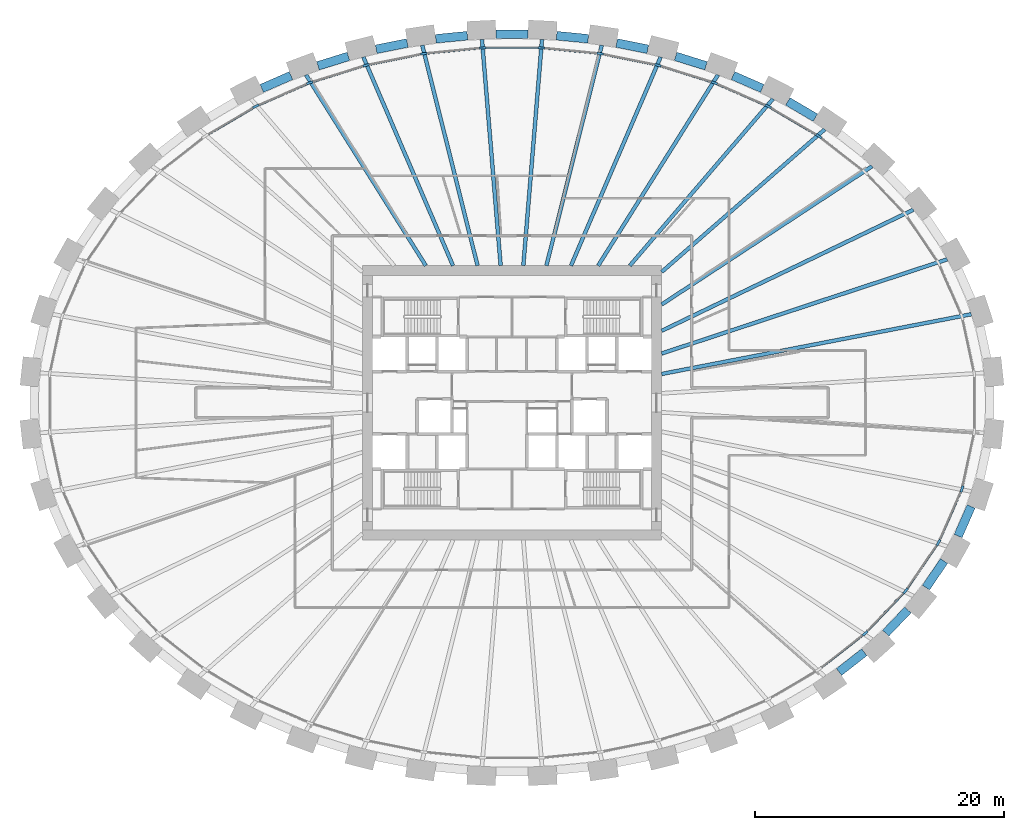
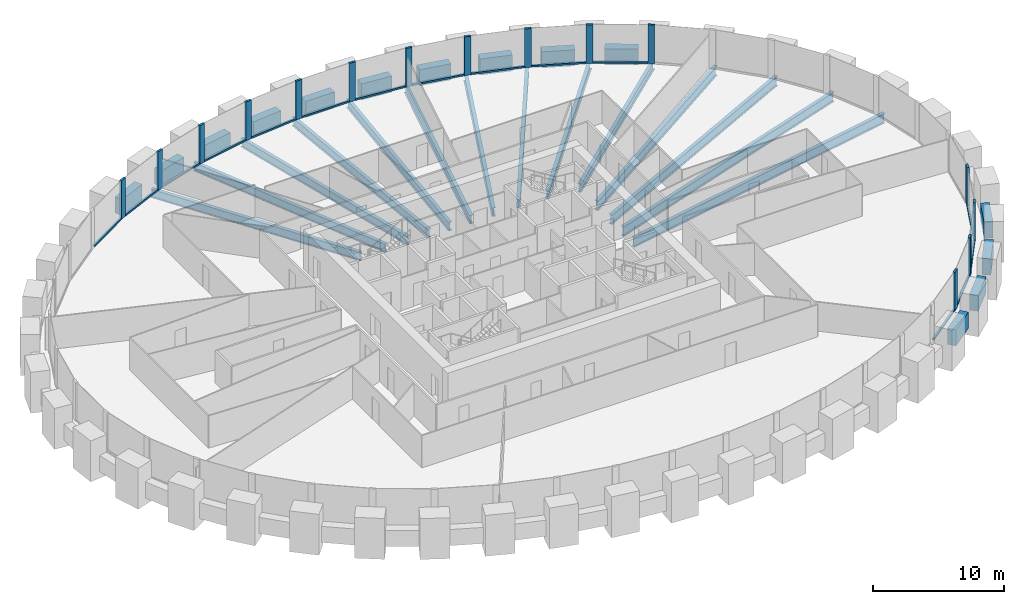
# One storey, part 3 of 11: 30 members, 28 beams, 1 element without a shape of its own.
"""IFC4 building model written with IfcOpenShell, lengths in metres."""

from ifc_helpers import new_model, si_unit, direction, frame, origin, origin_2d, place, context, subcontext, project, spatial, rectangle, i_section, extrude, source, transform, mapped, material, material_profile, profile_set, type_object, element, aggregate, save


model = new_model("IFC4")

# Units and contexts
model_context = context("Model", 3, precision=1e-05, world=origin(), true_north=direction((0.0, 1.0)))
body_context = subcontext(model_context, "Body", "Model", "MODEL_VIEW")
ifc_project = project(units=[si_unit("LENGTHUNIT", "METRE"), si_unit("AREAUNIT", "SQUARE_METRE"), si_unit("VOLUMEUNIT", "CUBIC_METRE"), si_unit("PLANEANGLEUNIT", "RADIAN"), si_unit("MASSUNIT", "GRAM", prefix="KILO")], contexts=[model_context])

# Site, building, storey
site_placement = place(None, origin())
site = spatial("IfcSite", under=ifc_project, at=site_placement, CompositionType="ELEMENT")
building_placement = place(site_placement, origin())
building = spatial("IfcBuilding", under=site, at=building_placement, Name="Embergate Tower", CompositionType="ELEMENT")
storey_placement = place(building_placement, frame((0.0, 0.0, 143.699951171875)))
storey = spatial("IfcBuildingStorey", under=building, at=storey_placement, Name="L31", CompositionType="ELEMENT", Elevation=143.699951171875)

# Beams
ifc_material_1 = material(Name="Concrete C70", Category="concrete")
ifc_material_profile_1 = material_profile(ifc_material_1, rectangle(XDim=0.699951171875, YDim=1.5, at=origin_2d()), Name="RC 700x1500")
ifc_profile_set_1 = profile_set([ifc_material_profile_1], Name="Concrete C70")
beam_type_1 = type_object("IfcBeamType", Name="Spandrel beam RC 700x1500 C70", PredefinedType="BEAM", material=ifc_profile_set_1)
shared_shape_1 = source(origin(), body_context, "Body", "SweptSolid", [
    extrude(rectangle(XDim=0.699951171875, YDim=1.5, at=origin_2d()), origin(), (0.0, 0.0, 1.0), 2.5888671875),
])
beam_1_placement = place(storey_placement, frame((35.76806640625, -10.678955078125, 0.0), z_axis=(0.401723931702, 0.915760821775, 0.0), x_axis=(-0.915760821775, 0.401723931702, 0.0)))
element("IfcBeam", 1, at=beam_1_placement, inside=storey, type_object=beam_type_1, Name="SPN-L31-41", PredefinedType="BEAM", context=body_context, shape_type="MappedRepresentation", body=[
    mapped(shared_shape_1, transform((0.0, 0.0, 0.0))),
])
shared_shape_2 = source(origin(), body_context, "Body", "SweptSolid", [
    extrude(rectangle(XDim=0.699951171875, YDim=1.5, at=origin_2d()), origin(), (0.0, 0.0, 1.0), 2.5791015625),
])
beam_2_placement = place(storey_placement, frame((33.18701171875, -14.81396484375, 0.0), z_axis=(0.562170202136, 0.82702156189, 0.0), x_axis=(-0.82702156189, 0.562170202136, 0.0)))
element("IfcBeam", 2, at=beam_2_placement, inside=storey, type_object=beam_type_1, Name="SPN-L31-40", PredefinedType="BEAM", context=body_context, shape_type="MappedRepresentation", body=[
    mapped(shared_shape_2, transform((0.0, 0.0, 0.0))),
])
shared_shape_3 = source(origin(), body_context, "Body", "SweptSolid", [
    extrude(rectangle(XDim=0.699951171875, YDim=1.5, at=origin_2d()), origin(), (0.0, 0.0, 1.0), 2.574462890625),
])
beam_3_placement = place(storey_placement, frame((29.964111328125, -18.466064453125, 0.0), z_axis=(0.690171205001, 0.72364612055, 0.0), x_axis=(-0.72364612055, 0.690171205001, 0.0)))
element("IfcBeam", 3, at=beam_3_placement, inside=storey, type_object=beam_type_1, Name="SPN-L31-39", PredefinedType="BEAM", context=body_context, shape_type="MappedRepresentation", body=[
    mapped(shared_shape_3, transform((0.0, 0.0, 0.0))),
])
shared_shape_4 = source(origin(), body_context, "Body", "SweptSolid", [
    extrude(rectangle(XDim=0.699951171875, YDim=1.5, at=origin_2d()), origin(), (0.0, 0.0, 1.0), 2.56689453125),
])
beam_4_placement = place(storey_placement, frame((26.222900390625, -21.574951171875, 0.0), z_axis=(0.788172869351, 0.615453920305, 0.0), x_axis=(-0.615453920305, 0.788172869351, 0.0)))
element("IfcBeam", 4, at=beam_4_placement, inside=storey, type_object=beam_type_1, Name="SPN-L31-38", PredefinedType="BEAM", context=body_context, shape_type="MappedRepresentation", body=[
    mapped(shared_shape_4, transform((0.0, 0.0, 0.0))),
])
shared_shape_5 = source(origin(), body_context, "Body", "SweptSolid", [
    extrude(rectangle(XDim=0.699951171875, YDim=1.5, at=origin_2d()), origin(), (0.0, 0.0, 1.0), 2.561279296875),
])
beam_5_placement = place(storey_placement, frame((24.321044921875, 22.867919921875, 0.0), z_axis=(-0.862059156479, 0.506807666409, 0.0), x_axis=(-0.506807666409, -0.862059156479, 0.0)))
element("IfcBeam", 5, at=beam_5_placement, inside=storey, type_object=beam_type_1, Name="SPN-L31-05", PredefinedType="BEAM", context=body_context, shape_type="MappedRepresentation", body=[
    mapped(shared_shape_5, transform((0.0, 0.0, 0.0))),
])
shared_shape_6 = source(origin(), body_context, "Body", "SweptSolid", [
    extrude(rectangle(XDim=0.699951171875, YDim=1.5, at=origin_2d()), origin(), (0.0, 0.0, 1.0), 2.558837890625),
])
for number, where, z_axis, x_axis, name in (
    (6, (20.06396484375, 25.2119140625, 0.0), (-0.916408972809, 0.40024316928, 0.0), (-0.40024316928, -0.916408972809, 0.0), "SPN-L31-06"),
    (7, (-17.718994140625, 26.236083984375, 0.0), (-0.916408972809, -0.40024316928, 0.0), (0.40024316928, -0.916408972809, 0.0), "SPN-L31-14"),
):
    element("IfcBeam", number, at=place(storey_placement, frame(where, z_axis=z_axis, x_axis=x_axis)), inside=storey, type_object=beam_type_1, Name=name, PredefinedType="BEAM", context=body_context, shape_type="MappedRepresentation", body=[
        mapped(shared_shape_6, transform((0.0, 0.0, 0.0))),
    ])
shared_shape_7 = source(origin(), body_context, "Body", "SweptSolid", [
    extrude(rectangle(XDim=0.699951171875, YDim=1.5, at=origin_2d()), origin(), (0.0, 0.0, 1.0), 2.5537109375),
])
for number, where, z_axis, x_axis, name in (
    (8, (15.556884765625, 27.02099609375, 0.0), (-0.954687282826, 0.297610806273, 0.0), (-0.297610806273, -0.954687282826, 0.0), "SPN-L31-07"),
    (9, (-13.118896484375, 27.781005859375, 0.0), (-0.954687282826, -0.297610806273, 0.0), (0.297610806273, -0.954687282826, 0.0), "SPN-L31-13"),
):
    element("IfcBeam", number, at=place(storey_placement, frame(where, z_axis=z_axis, x_axis=x_axis)), inside=storey, type_object=beam_type_1, Name=name, PredefinedType="BEAM", context=body_context, shape_type="MappedRepresentation", body=[
        mapped(shared_shape_7, transform((0.0, 0.0, 0.0))),
    ])
shared_shape_8 = source(origin(), body_context, "Body", "SweptSolid", [
    extrude(rectangle(XDim=0.699951171875, YDim=1.5, at=origin_2d()), origin(), (0.0, 0.0, 1.0), 2.552734375),
])
for number, where, z_axis, x_axis, name in (
    (10, (10.889892578125, 28.35009765625, 0.0), (-0.980477546037, 0.196631080243, 0.0), (-0.196631080243, -0.980477546037, 0.0), "SPN-L31-08"),
    (11, (-8.386962890625, 28.85205078125, 0.0), (-0.980477546037, -0.196631080243, 0.0), (0.196631080243, -0.980477546037, 0.0), "SPN-L31-12"),
):
    element("IfcBeam", number, at=place(storey_placement, frame(where, z_axis=z_axis, x_axis=x_axis)), inside=storey, type_object=beam_type_1, Name=name, PredefinedType="BEAM", context=body_context, shape_type="MappedRepresentation", body=[
        mapped(shared_shape_8, transform((0.0, 0.0, 0.0))),
    ])
shared_shape_9 = source(origin(), body_context, "Body", "SweptSolid", [
    extrude(rectangle(XDim=0.699951171875, YDim=1.5, at=origin_2d()), origin(), (0.0, 0.0, 1.0), 2.55126953125),
])
for number, where, z_axis, x_axis, name in (
    (12, (6.112060546875, 29.19091796875, 0.0), (-0.995224880302, 0.09760859403, 0.0), (-0.09760859403, -0.995224880302, 0.0), "SPN-L31-09"),
    (13, (-3.572998046875, 29.43994140625, 0.0), (-0.995224880302, -0.09760859403, 0.0), (0.09760859403, -0.995224880302, 0.0), "SPN-L31-11"),
):
    element("IfcBeam", number, at=place(storey_placement, frame(where, z_axis=z_axis, x_axis=x_axis)), inside=storey, type_object=beam_type_1, Name=name, PredefinedType="BEAM", context=body_context, shape_type="MappedRepresentation", body=[
        mapped(shared_shape_9, transform((0.0, 0.0, 0.0))),
    ])
shared_shape_10 = source(origin(), body_context, "Body", "SweptSolid", [
    extrude(rectangle(XDim=0.699951171875, YDim=1.5, at=origin_2d()), origin(), (0.0, 0.0, 1.0), 2.5517578125),
])
beam_6_placement = place(storey_placement, frame((1.27587890625, 29.552978515625, 0.0), z_axis=(-1.0, 0.0, 0.0), x_axis=(0.0, -1.0, 0.0)))
element("IfcBeam", 14, at=beam_6_placement, inside=storey, type_object=beam_type_1, Name="SPN-L31-10", PredefinedType="BEAM", context=body_context, shape_type="MappedRepresentation", body=[
    mapped(shared_shape_10, transform((0.0, 0.0, 0.0))),
])
ifc_material_2 = material(Name="Steel Q355B", Category="steel")
ifc_material_profile_2 = material_profile(ifc_material_2, i_section(OverallWidth=0.300048828125, OverallDepth=0.89990234375, WebThickness=0.01611328125, FlangeThickness=0.028076171875, FilletRadius=0.028076171875, at=origin_2d()), Name="HN 900x300x16x28")
ifc_profile_set_2 = profile_set([ifc_material_profile_2], Name="Steel Q355 grade B")
beam_type_2 = type_object("IfcBeamType", Name="Radial girder HN 900x300x16x28", PredefinedType="BEAM", material=ifc_profile_set_2)
shared_shape_11 = source(origin(), body_context, "Body", "SweptSolid", [
    extrude(i_section(OverallWidth=0.300048828125, OverallDepth=0.89990234375, WebThickness=0.01611328125, FlangeThickness=0.028076171875, FilletRadius=0.028076171875, at=origin_2d()), origin(), (0.0, 0.0, 1.0), 25.28076171875),
])
beam_7_placement = place(storey_placement, frame((36.822998046875, 7.10400390625, -0.64990234375), z_axis=(-0.981893236668, -0.189435138731, 0.0), x_axis=(0.189435138731, -0.981893236668, 0.0)))
element("IfcBeam", 15, at=beam_7_placement, inside=storey, type_object=beam_type_2, Name="GIR-L31-01", PredefinedType="BEAM", context=body_context, shape_type="MappedRepresentation", body=[
    mapped(shared_shape_11, transform((0.0, 0.0, 0.0))),
])
shared_shape_12 = source(origin(), body_context, "Body", "SweptSolid", [
    extrude(i_section(OverallWidth=0.300048828125, OverallDepth=0.89990234375, WebThickness=0.01611328125, FlangeThickness=0.028076171875, FilletRadius=0.028076171875, at=origin_2d()), origin(), (0.0, 0.0, 1.0), 24.10498046875),
])
beam_8_placement = place(storey_placement, frame((34.89208984375, 11.507080078125, -0.64990234375), z_axis=(-0.949682225523, -0.313215054756, 0.0), x_axis=(0.313215054756, -0.949682225523, 0.0)))
element("IfcBeam", 16, at=beam_8_placement, inside=storey, type_object=beam_type_2, Name="GIR-L31-02", PredefinedType="BEAM", context=body_context, shape_type="MappedRepresentation", body=[
    mapped(shared_shape_12, transform((0.0, 0.0, 0.0))),
])
shared_shape_13 = source(origin(), body_context, "Body", "SweptSolid", [
    extrude(i_section(OverallWidth=0.300048828125, OverallDepth=0.89990234375, WebThickness=0.01611328125, FlangeThickness=0.028076171875, FilletRadius=0.028076171875, at=origin_2d()), origin(), (0.0, 0.0, 1.0), 22.4013671875),
])
beam_9_placement = place(storey_placement, frame((32.18701171875, 15.48388671875, -0.64990234375), z_axis=(-0.901154023355, -0.433499049815, 0.0), x_axis=(0.433499049815, -0.901154023355, 0.0)))
element("IfcBeam", 17, at=beam_9_placement, inside=storey, type_object=beam_type_2, Name="GIR-L31-03", PredefinedType="BEAM", context=body_context, shape_type="MappedRepresentation", body=[
    mapped(shared_shape_13, transform((0.0, 0.0, 0.0))),
])
shared_shape_14 = source(origin(), body_context, "Body", "SweptSolid", [
    extrude(i_section(OverallWidth=0.300048828125, OverallDepth=0.89990234375, WebThickness=0.01611328125, FlangeThickness=0.028076171875, FilletRadius=0.028076171875, at=origin_2d()), origin(), (0.0, 0.0, 1.0), 20.180908203125),
])
beam_10_placement = place(storey_placement, frame((28.865966796875, 18.966064453125, -0.64990234375), z_axis=(-0.835735460255, -0.549132261365, 0.0), x_axis=(0.549132261365, -0.835735460255, 0.0)))
element("IfcBeam", 18, at=beam_10_placement, inside=storey, type_object=beam_type_2, Name="GIR-L31-04", PredefinedType="BEAM", context=body_context, shape_type="MappedRepresentation", body=[
    mapped(shared_shape_14, transform((0.0, 0.0, 0.0))),
])
ifc_material_profile_3 = material_profile(ifc_material_2, i_section(OverallWidth=0.300048828125, OverallDepth=0.800048828125, WebThickness=0.013916015625, FlangeThickness=0.02587890625, FilletRadius=0.028076171875, at=origin_2d()), Name="HN 800x300x14x26")
ifc_profile_set_3 = profile_set([ifc_material_profile_3], Name="Steel Q355 grade B")
beam_type_3 = type_object("IfcBeamType", Name="Radial girder HN 800x300x14x26", PredefinedType="BEAM", material=ifc_profile_set_3)
shared_shape_15 = source(origin(), body_context, "Body", "SweptSolid", [
    extrude(i_section(OverallWidth=0.300048828125, OverallDepth=0.800048828125, WebThickness=0.013916015625, FlangeThickness=0.02587890625, FilletRadius=0.028076171875, at=origin_2d()), origin(), (0.0, 0.0, 1.0), 17.3671875),
])
beam_11_placement = place(storey_placement, frame((25.072998046875, 21.927001953125, -0.599853515625), z_axis=(-0.752741256854, -0.658316489411, 0.0), x_axis=(0.658316489411, -0.752741256854, 0.0)))
element("IfcBeam", 19, at=beam_11_placement, inside=storey, type_object=beam_type_3, Name="GIR-L31-05", PredefinedType="BEAM", context=body_context, shape_type="MappedRepresentation", body=[
    mapped(shared_shape_15, transform((0.0, 0.0, 0.0))),
])
shared_shape_16 = source(origin(), body_context, "Body", "SweptSolid", [
    extrude(i_section(OverallWidth=0.300048828125, OverallDepth=0.800048828125, WebThickness=0.013916015625, FlangeThickness=0.02587890625, FilletRadius=0.028076171875, at=origin_2d()), origin(), (0.0, 0.0, 1.0), 17.617919921875),
])
beam_12_placement = place(storey_placement, frame((20.924072265625, 24.365966796875, -0.599853515625), z_axis=(-0.651494074711, -0.75865372247, 0.0), x_axis=(0.75865372247, -0.651494074711, 0.0)))
element("IfcBeam", 20, at=beam_12_placement, inside=storey, type_object=beam_type_3, Name="GIR-L31-06", PredefinedType="BEAM", context=body_context, shape_type="MappedRepresentation", body=[
    mapped(shared_shape_16, transform((0.0, 0.0, 0.0))),
])
shared_shape_17 = source(origin(), body_context, "Body", "SweptSolid", [
    extrude(i_section(OverallWidth=0.300048828125, OverallDepth=0.800048828125, WebThickness=0.013916015625, FlangeThickness=0.02587890625, FilletRadius=0.028076171875, at=origin_2d()), origin(), (0.0, 0.0, 1.0), 18.060546875),
])
for number, where, z_axis, x_axis, name in (
    (21, (16.513916015625, 26.2939453125, -0.599853515625), (-0.531878610528, -0.846820608903, 0.0), (0.846820608903, -0.531878610528, 0.0), "GIR-L31-07"),
    (22, (-16.513916015625, 26.2939453125, -0.599853515625), (0.531878610528, -0.846820608903, 0.0), (0.846820608903, 0.531878610528, 0.0), "GIR-L31-14"),
):
    element("IfcBeam", number, at=place(storey_placement, frame(where, z_axis=z_axis, x_axis=x_axis)), inside=storey, type_object=beam_type_3, Name=name, PredefinedType="BEAM", context=body_context, shape_type="MappedRepresentation", body=[
        mapped(shared_shape_17, transform((0.0, 0.0, 0.0))),
    ])
shared_shape_18 = source(origin(), body_context, "Body", "SweptSolid", [
    extrude(i_section(OverallWidth=0.300048828125, OverallDepth=0.800048828125, WebThickness=0.013916015625, FlangeThickness=0.02587890625, FilletRadius=0.028076171875, at=origin_2d()), origin(), (0.0, 0.0, 1.0), 18.2060546875),
])
for number, where, z_axis, x_axis, name in (
    (23, (11.91796875, 27.72607421875, -0.599853515625), (-0.394922496681, -0.918714439647, 0.0), (0.918714439647, -0.394922496681, 0.0), "GIR-L31-08"),
    (24, (-11.91796875, 27.72607421875, -0.599853515625), (0.394922496681, -0.918714439647, 0.0), (0.918714439647, 0.394922496681, 0.0), "GIR-L31-13"),
):
    element("IfcBeam", number, at=place(storey_placement, frame(where, z_axis=z_axis, x_axis=x_axis)), inside=storey, type_object=beam_type_3, Name=name, PredefinedType="BEAM", context=body_context, shape_type="MappedRepresentation", body=[
        mapped(shared_shape_18, transform((0.0, 0.0, 0.0))),
    ])
shared_shape_19 = source(origin(), body_context, "Body", "SweptSolid", [
    extrude(i_section(OverallWidth=0.300048828125, OverallDepth=0.800048828125, WebThickness=0.013916015625, FlangeThickness=0.02587890625, FilletRadius=0.028076171875, at=origin_2d()), origin(), (0.0, 0.0, 1.0), 18.220703125),
])
for number, where, z_axis, x_axis, name in (
    (25, (7.197998046875, 28.672119140625, -0.599853515625), (-0.243516003071, -0.969896879183, 0.0), (0.969896879183, -0.243516003071, 0.0), "GIR-L31-09"),
    (26, (-7.197998046875, 28.672119140625, -0.599853515625), (0.243516003071, -0.969896879183, 0.0), (0.969896879183, 0.243516003071, 0.0), "GIR-L31-12"),
):
    element("IfcBeam", number, at=place(storey_placement, frame(where, z_axis=z_axis, x_axis=x_axis)), inside=storey, type_object=beam_type_3, Name=name, PredefinedType="BEAM", context=body_context, shape_type="MappedRepresentation", body=[
        mapped(shared_shape_19, transform((0.0, 0.0, 0.0))),
    ])
shared_shape_20 = source(origin(), body_context, "Body", "SweptSolid", [
    extrude(i_section(OverallWidth=0.300048828125, OverallDepth=0.800048828125, WebThickness=0.013916015625, FlangeThickness=0.02587890625, FilletRadius=0.028076171875, at=origin_2d()), origin(), (0.0, 0.0, 1.0), 18.204833984375),
])
for number, where, z_axis, x_axis, name in (
    (27, (2.406982421875, 29.14306640625, -0.599853515625), (-0.082288533097, -0.996608547686, 0.0), (0.996608547686, -0.082288533097, 0.0), "GIR-L31-10"),
    (28, (-2.406982421875, 29.14306640625, -0.599853515625), (0.082288533097, -0.996608547686, 0.0), (0.996608547686, 0.082288533097, 0.0), "GIR-L31-11"),
):
    element("IfcBeam", number, at=place(storey_placement, frame(where, z_axis=z_axis, x_axis=x_axis)), inside=storey, type_object=beam_type_3, Name=name, PredefinedType="BEAM", context=body_context, shape_type="MappedRepresentation", body=[
        mapped(shared_shape_20, transform((0.0, 0.0, 0.0))),
    ])

# Curtain wall, members
ifc_material_3 = material(Name="Aluminium and glass", Category="aluminium")
curtain_wall_type = type_object("IfcCurtainWallType", Name="Recessed office glazing", PredefinedType="NOTDEFINED", material=ifc_material_3)
curtain_wall_placement = place(storey_placement, origin())
curtain_wall = element("IfcCurtainWall", 29, at=curtain_wall_placement, inside=storey, type_object=curtain_wall_type, Name="Recessed office glazing ring", ObjectType="RECESSED OFFICE GLAZING", PredefinedType="USERDEFINED")
ifc_material_4 = material(Name="Aluminium, thermally broken", Category="aluminium")
ifc_material_profile_4 = material_profile(ifc_material_4, rectangle(XDim=0.179931640625, YDim=0.52001953125, at=origin_2d()), Name="AL 520x180")
ifc_profile_set_4 = profile_set([ifc_material_profile_4], Name="Aluminium, thermally broken")
member_type_1 = type_object("IfcMemberType", Name="Office mullion", PredefinedType="MULLION", material=ifc_profile_set_4)
shared_shape_21 = source(origin(), body_context, "Body", "SweptSolid", [
    extrude(rectangle(XDim=0.179931640625, YDim=0.52001953125, at=origin_2d()), origin(), (0.0, 0.0, 1.0), 3.60009765625),
])
member_1_placement = place(storey_placement, frame((24.6015625, 21.382080078125, 0.0), z_axis=(0.0, 0.0, 1.0), x_axis=(-0.562208958301, -0.826995215951, 0.0)))
member_1 = element("IfcMember", 30, at=member_1_placement, type_object=member_type_1, Name="CW mullion 6", PredefinedType="MULLION", context=body_context, shape_type="MappedRepresentation", body=[
    mapped(shared_shape_21, transform((0.0, 0.0, 0.0))),
])
member_2_placement = place(storey_placement, frame((20.536376953125, 23.772216796875, 0.0), z_axis=(0.0, 0.0, 1.0), x_axis=(-0.454503607328, -0.89074489666, 0.0)))
member_2 = element("IfcMember", 31, at=member_2_placement, type_object=member_type_1, Name="CW mullion 7", PredefinedType="MULLION", context=body_context, shape_type="MappedRepresentation", body=[
    mapped(shared_shape_21, transform((0.0, 0.0, 0.0))),
])
member_3_placement = place(storey_placement, frame((16.21142578125, 25.6630859375, 0.0), z_axis=(0.0, 0.0, 1.0), x_axis=(-0.349496141799, -0.936937803094, 0.0)))
member_3 = element("IfcMember", 32, at=member_3_placement, type_object=member_type_1, Name="CW mullion 8", PredefinedType="MULLION", context=body_context, shape_type="MappedRepresentation", body=[
    mapped(shared_shape_21, transform((0.0, 0.0, 0.0))),
])
member_4_placement = place(storey_placement, frame((11.70166015625, 27.067626953125, 0.0), z_axis=(0.0, 0.0, 1.0), x_axis=(-0.24730680803, -0.968937223303, 0.0)))
member_4 = element("IfcMember", 33, at=member_4_placement, type_object=member_type_1, Name="CW mullion 9", PredefinedType="MULLION", context=body_context, shape_type="MappedRepresentation", body=[
    mapped(shared_shape_21, transform((0.0, 0.0, 0.0))),
])
member_5_placement = place(storey_placement, frame((7.068115234375, 27.996826171875, 0.0), z_axis=(0.0, 0.0, 1.0), x_axis=(-0.147408930294, -0.989075632735, 0.0)))
member_5 = element("IfcMember", 34, at=member_5_placement, type_object=member_type_1, Name="CW mullion 10", PredefinedType="MULLION", context=body_context, shape_type="MappedRepresentation", body=[
    mapped(shared_shape_21, transform((0.0, 0.0, 0.0))),
])
member_6_placement = place(storey_placement, frame((2.36376953125, 28.459228515625, 0.0), z_axis=(0.0, 0.0, 1.0), x_axis=(-0.048970053385, -0.998800247232, 0.0)))
member_6 = element("IfcMember", 35, at=member_6_placement, type_object=member_type_1, Name="CW mullion 11", PredefinedType="MULLION", context=body_context, shape_type="MappedRepresentation", body=[
    mapped(shared_shape_21, transform((0.0, 0.0, 0.0))),
])
member_7_placement = place(storey_placement, frame((-2.36376953125, 28.459228515625, 0.0), z_axis=(0.0, 0.0, 1.0), x_axis=(0.048970053385, -0.998800247232, 0.0)))
member_7 = element("IfcMember", 36, at=member_7_placement, type_object=member_type_1, Name="CW mullion 12", PredefinedType="MULLION", context=body_context, shape_type="MappedRepresentation", body=[
    mapped(shared_shape_21, transform((0.0, 0.0, 0.0))),
])
member_8_placement = place(storey_placement, frame((-7.068115234375, 27.996826171875, 0.0), z_axis=(0.0, 0.0, 1.0), x_axis=(0.147408930294, -0.989075632735, 0.0)))
member_8 = element("IfcMember", 37, at=member_8_placement, type_object=member_type_1, Name="CW mullion 13", PredefinedType="MULLION", context=body_context, shape_type="MappedRepresentation", body=[
    mapped(shared_shape_21, transform((0.0, 0.0, 0.0))),
])
member_9_placement = place(storey_placement, frame((-11.70166015625, 27.067626953125, 0.0), z_axis=(0.0, 0.0, 1.0), x_axis=(0.24730680803, -0.968937223303, 0.0)))
member_9 = element("IfcMember", 38, at=member_9_placement, type_object=member_type_1, Name="CW mullion 14", PredefinedType="MULLION", context=body_context, shape_type="MappedRepresentation", body=[
    mapped(shared_shape_21, transform((0.0, 0.0, 0.0))),
])
member_10_placement = place(storey_placement, frame((-16.21142578125, 25.6630859375, 0.0), z_axis=(0.0, 0.0, 1.0), x_axis=(0.349496141799, -0.936937803094, 0.0)))
member_10 = element("IfcMember", 39, at=member_10_placement, type_object=member_type_1, Name="CW mullion 15", PredefinedType="MULLION", context=body_context, shape_type="MappedRepresentation", body=[
    mapped(shared_shape_21, transform((0.0, 0.0, 0.0))),
])
member_11_placement = place(storey_placement, frame((-20.536376953125, 23.772216796875, 0.0), z_axis=(0.0, 0.0, 1.0), x_axis=(0.454503607328, -0.89074489666, 0.0)))
member_11 = element("IfcMember", 40, at=member_11_placement, type_object=member_type_1, Name="CW mullion 16", PredefinedType="MULLION", context=body_context, shape_type="MappedRepresentation", body=[
    mapped(shared_shape_21, transform((0.0, 0.0, 0.0))),
])
member_12_placement = place(storey_placement, frame((28.314453125, -18.484375, 0.0), z_axis=(0.0, 0.0, 1.0), x_axis=(-0.671220065284, 0.741258135847, 0.0)))
member_12 = element("IfcMember", 41, at=member_12_placement, type_object=member_type_1, Name="CW mullion 40", PredefinedType="MULLION", context=body_context, shape_type="MappedRepresentation", body=[
    mapped(shared_shape_21, transform((0.0, 0.0, 0.0))),
])
member_13_placement = place(storey_placement, frame((31.5595703125, -15.08154296875, 0.0), z_axis=(0.0, 0.0, 1.0), x_axis=(-0.777867080309, 0.62842883875, 0.0)))
member_13 = element("IfcMember", 42, at=member_13_placement, type_object=member_type_1, Name="CW mullion 41", PredefinedType="MULLION", context=body_context, shape_type="MappedRepresentation", body=[
    mapped(shared_shape_21, transform((0.0, 0.0, 0.0))),
])
member_14_placement = place(storey_placement, frame((34.198974609375, -11.200439453125, 0.0), z_axis=(0.0, 0.0, 1.0), x_axis=(-0.874998516019, 0.484125600402, 0.0)))
member_14 = element("IfcMember", 43, at=member_14_placement, type_object=member_type_1, Name="CW mullion 42", PredefinedType="MULLION", context=body_context, shape_type="MappedRepresentation", body=[
    mapped(shared_shape_21, transform((0.0, 0.0, 0.0))),
])
member_15_placement = place(storey_placement, frame((36.08056640625, -6.910400390625, 0.0), z_axis=(0.0, 0.0, 1.0), x_axis=(-0.951496187099, 0.307660536853, 0.0)))
member_15 = element("IfcMember", 44, at=member_15_placement, type_object=member_type_1, Name="CW mullion 43", PredefinedType="MULLION", context=body_context, shape_type="MappedRepresentation", body=[
    mapped(shared_shape_21, transform((0.0, 0.0, 0.0))),
])
ifc_material_profile_5 = material_profile(ifc_material_4, rectangle(XDim=0.179931640625, YDim=0.14990234375, at=origin_2d()), Name="AL 150x180")
ifc_profile_set_5 = profile_set([ifc_material_profile_5], Name="Aluminium, thermally broken")
member_type_2 = type_object("IfcMemberType", Name="Office sill transom", PredefinedType="USERDEFINED", material=ifc_profile_set_5)
shared_shape_22 = source(origin(), body_context, "Body", "SweptSolid", [
    extrude(rectangle(XDim=0.179931640625, YDim=0.14990234375, at=origin_2d()), origin(), (0.0, 0.0, 1.0), 4.16455078125),
])
member_16_placement = place(storey_placement, frame((34.303466796875, -10.96240234375, 0.074951171875), z_axis=(0.401624405354, 0.915804475324, 0.0), x_axis=(-0.915804475324, 0.401624405354, 0.0)))
member_16 = element("IfcMember", 45, at=member_16_placement, type_object=member_type_2, Name="CW transom 42.1", ObjectType="TRANSOM", PredefinedType="USERDEFINED", context=body_context, shape_type="MappedRepresentation", body=[
    mapped(shared_shape_22, transform((0.0, 0.0, 0.0))),
])
shared_shape_23 = source(origin(), body_context, "Body", "SweptSolid", [
    extrude(rectangle(XDim=0.179931640625, YDim=0.14990234375, at=origin_2d()), origin(), (0.0, 0.0, 1.0), 4.173583984375),
])
member_17_placement = place(storey_placement, frame((31.705810546875, -14.86669921875, 0.074951171875), z_axis=(0.562330821554, 0.826912357587, 0.0), x_axis=(-0.826912357587, 0.562330821554, 0.0)))
member_17 = element("IfcMember", 46, at=member_17_placement, type_object=member_type_2, Name="CW transom 41.1", ObjectType="TRANSOM", PredefinedType="USERDEFINED", context=body_context, shape_type="MappedRepresentation", body=[
    mapped(shared_shape_23, transform((0.0, 0.0, 0.0))),
])
shared_shape_24 = source(origin(), body_context, "Body", "SweptSolid", [
    extrude(rectangle(XDim=0.179931640625, YDim=0.14990234375, at=origin_2d()), origin(), (0.0, 0.0, 1.0), 4.18212890625),
])
member_18_placement = place(storey_placement, frame((28.493896484375, -18.29638671875, 0.074951171875), z_axis=(0.69012439783, 0.723690759592, 0.0), x_axis=(-0.723690759592, 0.69012439783, 0.0)))
member_18 = element("IfcMember", 47, at=member_18_placement, type_object=member_type_2, Name="CW transom 40.1", ObjectType="TRANSOM", PredefinedType="USERDEFINED", context=body_context, shape_type="MappedRepresentation", body=[
    mapped(shared_shape_24, transform((0.0, 0.0, 0.0))),
])
shared_shape_25 = source(origin(), body_context, "Body", "SweptSolid", [
    extrude(rectangle(XDim=0.179931640625, YDim=0.14990234375, at=origin_2d()), origin(), (0.0, 0.0, 1.0), 4.189697265625),
])
member_19_placement = place(storey_placement, frame((24.806640625, -21.22216796875, 0.074951171875), z_axis=(0.788299928143, 0.61529116952, 0.0), x_axis=(-0.61529116952, 0.788299928143, 0.0)))
member_19 = element("IfcMember", 48, at=member_19_placement, type_object=member_type_2, Name="CW transom 39.1", ObjectType="TRANSOM", PredefinedType="USERDEFINED", context=body_context, shape_type="MappedRepresentation", body=[
    mapped(shared_shape_25, transform((0.0, 0.0, 0.0))),
])
shared_shape_26 = source(origin(), body_context, "Body", "SweptSolid", [
    extrude(rectangle(XDim=0.179931640625, YDim=0.14990234375, at=origin_2d()), origin(), (0.0, 0.0, 1.0), 4.19580078125),
])
member_20_placement = place(storey_placement, frame((24.37744140625, 21.513916015625, 0.074951171875), z_axis=(-0.8620538578, 0.506816679138, 0.0), x_axis=(-0.506816679138, -0.8620538578, 0.0)))
member_20 = element("IfcMember", 49, at=member_20_placement, type_object=member_type_2, Name="CW transom 6.1", ObjectType="TRANSOM", PredefinedType="USERDEFINED", context=body_context, shape_type="MappedRepresentation", body=[
    mapped(shared_shape_26, transform((0.0, 0.0, 0.0))),
])
member_21_placement = place(storey_placement, frame((-20.760498046875, 23.640380859375, 0.074951171875), z_axis=(-0.8620538578, -0.506816679138, 0.0), x_axis=(0.506816679138, -0.8620538578, 0.0)))
member_21 = element("IfcMember", 50, at=member_21_placement, type_object=member_type_2, Name="CW transom 16.1", ObjectType="TRANSOM", PredefinedType="USERDEFINED", context=body_context, shape_type="MappedRepresentation", body=[
    mapped(shared_shape_26, transform((0.0, 0.0, 0.0))),
])
shared_shape_27 = source(origin(), body_context, "Body", "SweptSolid", [
    extrude(rectangle(XDim=0.179931640625, YDim=0.14990234375, at=origin_2d()), origin(), (0.0, 0.0, 1.0), 4.2001953125),
])
member_22_placement = place(storey_placement, frame((20.298095703125, 23.876220703125, 0.074951171875), z_axis=(-0.916228023799, 0.400657220583, 0.0), x_axis=(-0.400657220583, -0.916228023799, 0.0)))
member_22 = element("IfcMember", 51, at=member_22_placement, type_object=member_type_2, Name="CW transom 7.1", ObjectType="TRANSOM", PredefinedType="USERDEFINED", context=body_context, shape_type="MappedRepresentation", body=[
    mapped(shared_shape_27, transform((0.0, 0.0, 0.0))),
])
member_23_placement = place(storey_placement, frame((-16.44970703125, 25.55908203125, 0.074951171875), z_axis=(-0.916228023799, -0.400657220583, 0.0), x_axis=(0.400657220583, -0.916228023799, 0.0)))
member_23 = element("IfcMember", 52, at=member_23_placement, type_object=member_type_2, Name="CW transom 15.1", ObjectType="TRANSOM", PredefinedType="USERDEFINED", context=body_context, shape_type="MappedRepresentation", body=[
    mapped(shared_shape_27, transform((0.0, 0.0, 0.0))),
])
shared_shape_28 = source(origin(), body_context, "Body", "SweptSolid", [
    extrude(rectangle(XDim=0.179931640625, YDim=0.14990234375, at=origin_2d()), origin(), (0.0, 0.0, 1.0), 4.203857421875),
])
member_24_placement = place(storey_placement, frame((15.96337890625, 25.740478515625, 0.074951171875), z_axis=(-0.954785361942, 0.29729600169, 0.0), x_axis=(-0.29729600169, -0.954785361942, 0.0)))
member_24 = element("IfcMember", 53, at=member_24_placement, type_object=member_type_2, Name="CW transom 8.1", ObjectType="TRANSOM", PredefinedType="USERDEFINED", context=body_context, shape_type="MappedRepresentation", body=[
    mapped(shared_shape_28, transform((0.0, 0.0, 0.0))),
])
member_25_placement = place(storey_placement, frame((-11.94970703125, 26.990234375, 0.074951171875), z_axis=(-0.954785361942, -0.29729600169, 0.0), x_axis=(0.29729600169, -0.954785361942, 0.0)))
member_25 = element("IfcMember", 54, at=member_25_placement, type_object=member_type_2, Name="CW transom 14.1", ObjectType="TRANSOM", PredefinedType="USERDEFINED", context=body_context, shape_type="MappedRepresentation", body=[
    mapped(shared_shape_28, transform((0.0, 0.0, 0.0))),
])
shared_shape_29 = source(origin(), body_context, "Body", "SweptSolid", [
    extrude(rectangle(XDim=0.179931640625, YDim=0.14990234375, at=origin_2d()), origin(), (0.0, 0.0, 1.0), 4.205810546875),
])
member_26_placement = place(storey_placement, frame((11.44677734375, 27.11865234375, 0.074951171875), z_axis=(-0.980471126949, 0.196663085555, 0.0), x_axis=(-0.196663085555, -0.980471126949, 0.0)))
member_26 = element("IfcMember", 55, at=member_26_placement, type_object=member_type_2, Name="CW transom 9.1", ObjectType="TRANSOM", PredefinedType="USERDEFINED", context=body_context, shape_type="MappedRepresentation", body=[
    mapped(shared_shape_29, transform((0.0, 0.0, 0.0))),
])
member_27_placement = place(storey_placement, frame((-7.322998046875, 27.94580078125, 0.074951171875), z_axis=(-0.980471126949, -0.196663085555, 0.0), x_axis=(0.196663085555, -0.980471126949, 0.0)))
member_27 = element("IfcMember", 56, at=member_27_placement, type_object=member_type_2, Name="CW transom 13.1", ObjectType="TRANSOM", PredefinedType="USERDEFINED", context=body_context, shape_type="MappedRepresentation", body=[
    mapped(shared_shape_29, transform((0.0, 0.0, 0.0))),
])
shared_shape_30 = source(origin(), body_context, "Body", "SweptSolid", [
    extrude(rectangle(XDim=0.179931640625, YDim=0.14990234375, at=origin_2d()), origin(), (0.0, 0.0, 1.0), 4.20703125),
])
member_28_placement = place(storey_placement, frame((6.809326171875, 28.022216796875, 0.074951171875), z_axis=(-0.99520185845, 0.097843042355, 0.0), x_axis=(-0.097843042355, -0.99520185845, 0.0)))
member_28 = element("IfcMember", 57, at=member_28_placement, type_object=member_type_2, Name="CW transom 10.1", ObjectType="TRANSOM", PredefinedType="USERDEFINED", context=body_context, shape_type="MappedRepresentation", body=[
    mapped(shared_shape_30, transform((0.0, 0.0, 0.0))),
])
member_29_placement = place(storey_placement, frame((-2.62255859375, 28.433837890625, 0.074951171875), z_axis=(-0.99520185845, -0.097843042355, 0.0), x_axis=(0.097843042355, -0.99520185845, 0.0)))
member_29 = element("IfcMember", 58, at=member_29_placement, type_object=member_type_2, Name="CW transom 12.1", ObjectType="TRANSOM", PredefinedType="USERDEFINED", context=body_context, shape_type="MappedRepresentation", body=[
    mapped(shared_shape_30, transform((0.0, 0.0, 0.0))),
])
shared_shape_31 = source(origin(), body_context, "Body", "SweptSolid", [
    extrude(rectangle(XDim=0.179931640625, YDim=0.14990234375, at=origin_2d()), origin(), (0.0, 0.0, 1.0), 4.20751953125),
])
member_30_placement = place(storey_placement, frame((2.103759765625, 28.459228515625, 0.074951171875), z_axis=(-1.0, 0.0, 0.0), x_axis=(0.0, -1.0, 0.0)))
member_30 = element("IfcMember", 59, at=member_30_placement, type_object=member_type_2, Name="CW transom 11.1", ObjectType="TRANSOM", PredefinedType="USERDEFINED", context=body_context, shape_type="MappedRepresentation", body=[
    mapped(shared_shape_31, transform((0.0, 0.0, 0.0))),
])
aggregate(curtain_wall, [member_1, member_2, member_3, member_4, member_5, member_6, member_7, member_8, member_9, member_10, member_11, member_12, member_13, member_14, member_15, member_20, member_22, member_24, member_26, member_28, member_30, member_29, member_27, member_25, member_23, member_21, member_19, member_18, member_17, member_16])

save(model, "model.ifc")
